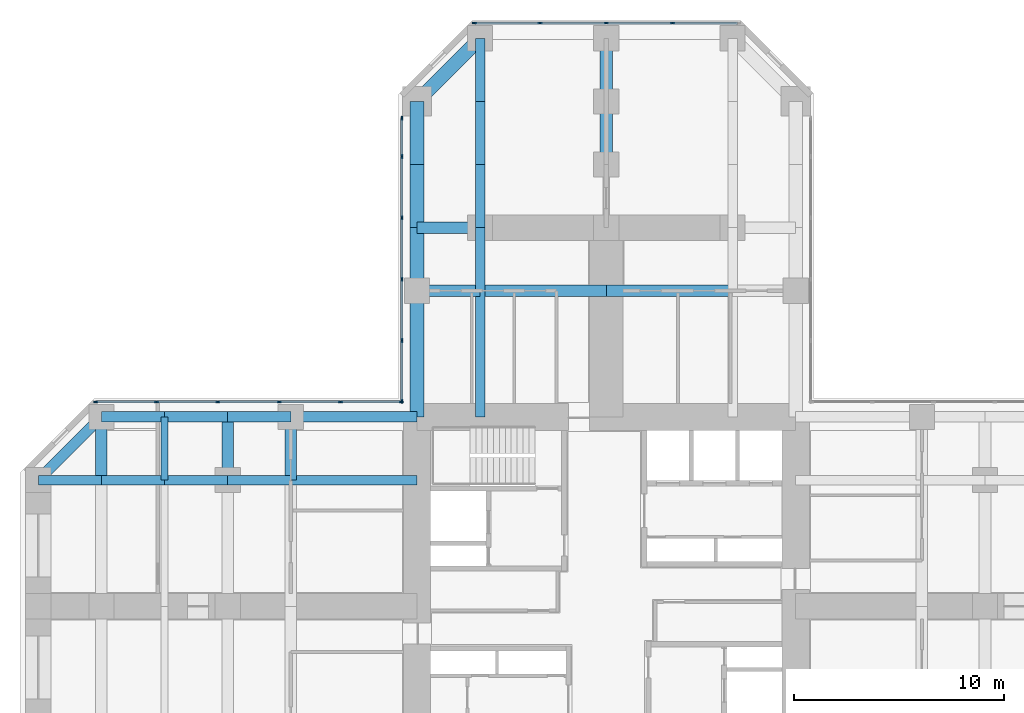
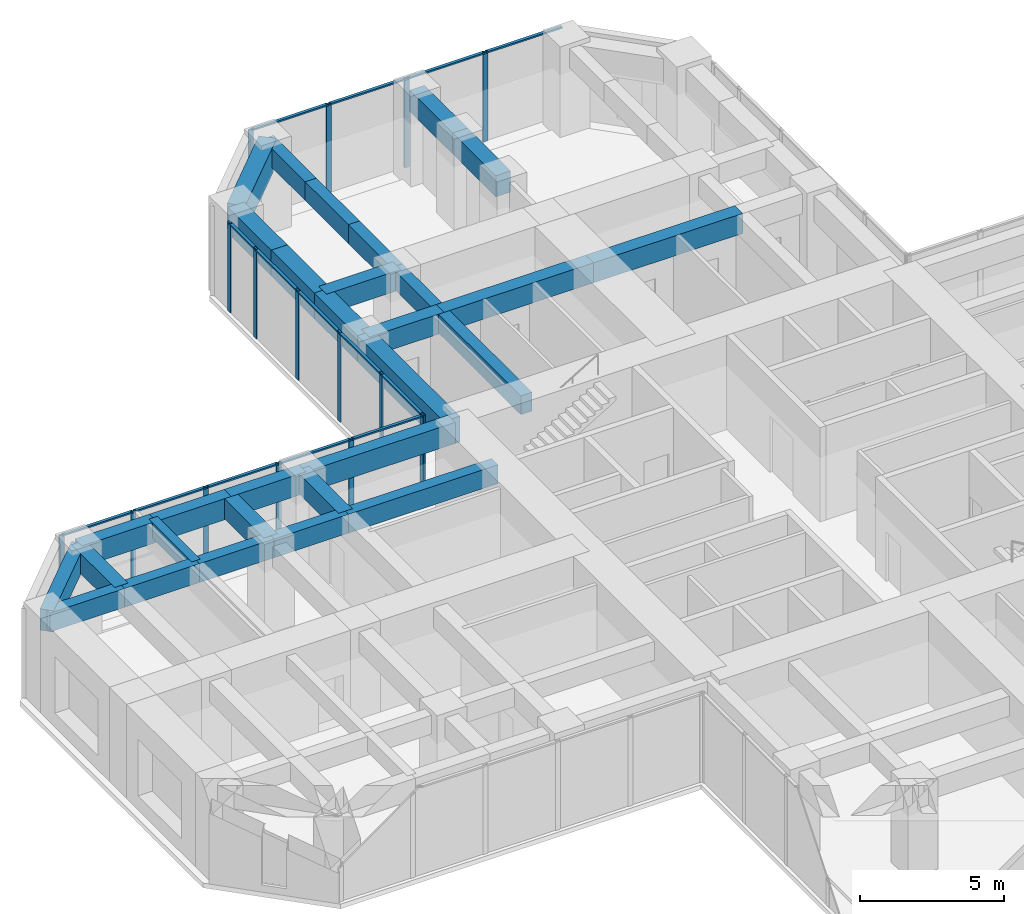
# One storey, part 5 of 12: 30 beams, 30 members, 3 elements without a shape of their own.
"""IFC4 building model written with IfcOpenShell, lengths in metres."""

from ifc_helpers import new_model, si_unit, direction, frame, origin, origin_2d, place, context, subcontext, project, spatial, rectangle, extrude, material, material_profile, profile_set, type_object, element, aggregate, save


model = new_model("IFC4")

# Units and contexts
model_context = context("Model", 3, precision=1e-05, world=origin(), true_north=direction((0.0, 1.0)))
body_context = subcontext(model_context, "Body", "Model", "MODEL_VIEW")
ifc_project = project(units=[si_unit("LENGTHUNIT", "METRE"), si_unit("AREAUNIT", "SQUARE_METRE"), si_unit("VOLUMEUNIT", "CUBIC_METRE"), si_unit("PLANEANGLEUNIT", "RADIAN"), si_unit("MASSUNIT", "GRAM", prefix="KILO")], contexts=[model_context])

# Site, building, storey
site_placement = place(None, origin())
site = spatial("IfcSite", under=ifc_project, at=site_placement, CompositionType="ELEMENT")
building_placement = place(site_placement, origin())
building = spatial("IfcBuilding", under=site, at=building_placement, Name="Torre Cruceta", CompositionType="ELEMENT")
storey_placement = place(building_placement, frame((0.0, 0.0, 79.5)))
storey = spatial("IfcBuildingStorey", under=building, at=storey_placement, Name="L19", CompositionType="ELEMENT", Elevation=79.5)

# Beams
ifc_material_1 = material(Name="Concrete G60 (fck 60 MPa)", Category="concrete")
ifc_material_profile_1 = material_profile(ifc_material_1, rectangle(XDim=0.60009765625, YDim=0.89990234375, at=origin_2d()), Name="RC 600X900")
ifc_profile_set_1 = profile_set([ifc_material_profile_1], Name="Concrete G60 (fck 60 MPa)")
beam_type_1 = type_object("IfcBeamType", Name="ARM CENTRE BEAM RC 600X900", PredefinedType="BEAM", material=ifc_profile_set_1)
for number, where, z_axis, x_axis, name in (
    (1, (0.0, 21.0, 3.35009765625), (0.0, 1.0, 0.0), (-1.0, 0.0, 0.0), "MB3 L19 N centre 1"),
    (2, (0.0, 24.0, 3.35009765625), (0.0, 1.0, 0.0), (-1.0, 0.0, 0.0), "MB3 L19 N centre 2"),
):
    element("IfcBeam", number, at=place(storey_placement, frame(where, z_axis=z_axis, x_axis=x_axis)), inside=storey, type_object=beam_type_1, Name=name, PredefinedType="BEAM", context=body_context, shape_type="SweptSolid", body=[
        extrude(rectangle(XDim=0.60009765625, YDim=0.89990234375, at=origin_2d()), origin(), (0.0, 0.0, 1.0), 3.0),
    ])
ifc_material_2 = material(Name="Concrete G60 (fck 60 MPa)", Category="concrete")
ifc_material_profile_2 = material_profile(ifc_material_2, rectangle(XDim=0.449951171875, YDim=0.800048828125, at=origin_2d()), Name="RC 450X800")
ifc_profile_set_2 = profile_set([ifc_material_profile_2], Name="Concrete G60 (fck 60 MPa)")
beam_type_2 = type_object("IfcBeamType", Name="COLUMN LINE BEAM RC 450X800", PredefinedType="BEAM", material=ifc_profile_set_2)
beam_1_placement = place(storey_placement, frame((-6.0, 9.0, 3.39990234375), z_axis=(0.0, 1.0, 0.0), x_axis=(-1.0, 0.0, 0.0)))
element("IfcBeam", 3, at=beam_1_placement, inside=storey, type_object=beam_type_2, Name="LB1 L19 N col+ 1", PredefinedType="BEAM", context=body_context, shape_type="SweptSolid", body=[
    extrude(rectangle(XDim=0.449951171875, YDim=0.800048828125, at=origin_2d()), origin(), (0.0, 0.0, 1.0), 6.0),
])
for number, where, z_axis, x_axis, name in (
    (4, (-6.0, 15.0, 3.39990234375), (0.0, 1.0, 0.0), (-1.0, 0.0, 0.0), "LB1 L19 N col+ 2"),
    (5, (-6.0, 18.0, 3.39990234375), (0.0, 1.0, 0.0), (-1.0, 0.0, 0.0), "LB1 L19 N col+ 3"),
    (6, (-6.0, 21.0, 3.39990234375), (0.0, 1.0, 0.0), (-1.0, 0.0, 0.0), "LB1 L19 N col+ 4"),
    (7, (-6.0, 24.0, 3.39990234375), (0.0, 1.0, 0.0), (-1.0, 0.0, 0.0), "LB1 L19 N col+ 5"),
):
    element("IfcBeam", number, at=place(storey_placement, frame(where, z_axis=z_axis, x_axis=x_axis)), inside=storey, type_object=beam_type_2, Name=name, PredefinedType="BEAM", context=body_context, shape_type="SweptSolid", body=[
        extrude(rectangle(XDim=0.449951171875, YDim=0.800048828125, at=origin_2d()), origin(), (0.0, 0.0, 1.0), 3.0),
    ])
beam_2_placement = place(storey_placement, frame((-9.0, 6.0, 3.39990234375), z_axis=(-1.0, 0.0, 0.0), x_axis=(0.0, -1.0, 0.0)))
element("IfcBeam", 8, at=beam_2_placement, inside=storey, type_object=beam_type_2, Name="LB1 L19 W col- 1", PredefinedType="BEAM", context=body_context, shape_type="SweptSolid", body=[
    extrude(rectangle(XDim=0.449951171875, YDim=0.800048828125, at=origin_2d()), origin(), (0.0, 0.0, 1.0), 6.0),
])
for number, where, z_axis, x_axis, name in (
    (9, (-15.0, 6.0, 3.39990234375), (-1.0, 0.0, 0.0), (0.0, -1.0, 0.0), "LB1 L19 W col- 2"),
    (10, (-18.0, 6.0, 3.39990234375), (-1.0, 0.0, 0.0), (0.0, -1.0, 0.0), "LB1 L19 W col- 3"),
    (11, (-21.0, 6.0, 3.39990234375), (-1.0, 0.0, 0.0), (0.0, -1.0, 0.0), "LB1 L19 W col- 4"),
    (12, (-24.0, 6.0, 3.39990234375), (-1.0, 0.0, 0.0), (0.0, -1.0, 0.0), "LB1 L19 W col- 5"),
):
    element("IfcBeam", number, at=place(storey_placement, frame(where, z_axis=z_axis, x_axis=x_axis)), inside=storey, type_object=beam_type_2, Name=name, PredefinedType="BEAM", context=body_context, shape_type="SweptSolid", body=[
        extrude(rectangle(XDim=0.449951171875, YDim=0.800048828125, at=origin_2d()), origin(), (0.0, 0.0, 1.0), 3.0),
    ])
ifc_material_3 = material(Name="Concrete G60 (fck 60 MPa)", Category="concrete")
ifc_material_profile_3 = material_profile(ifc_material_3, rectangle(XDim=0.550048828125, YDim=0.85009765625, at=origin_2d()), Name="RC 550X850")
ifc_profile_set_3 = profile_set([ifc_material_profile_3], Name="Concrete G60 (fck 60 MPa)")
beam_type_3 = type_object("IfcBeamType", Name="CROSS BEAM RC 550X850", PredefinedType="BEAM", material=ifc_profile_set_3)
for number, where, z_axis, x_axis, name in (
    (13, (6.0, 15.0, 3.375), (-1.0, 0.0, 0.0), (0.0, -1.0, 0.0), "GB4 L19 N cross15 2"),
    (14, (0.0, 15.0, 3.375), (-1.0, 0.0, 0.0), (0.0, -1.0, 0.0), "GB4 L19 N cross15 3"),
):
    element("IfcBeam", number, at=place(storey_placement, frame(where, z_axis=z_axis, x_axis=x_axis)), inside=storey, type_object=beam_type_3, Name=name, PredefinedType="BEAM", context=body_context, shape_type="SweptSolid", body=[
        extrude(rectangle(XDim=0.550048828125, YDim=0.85009765625, at=origin_2d()), origin(), (0.0, 0.0, 1.0), 6.0),
    ])
for number, where, z_axis, x_axis, name in (
    (15, (-6.0, 15.0, 3.375), (-1.0, 0.0, 0.0), (0.0, -1.0, 0.0), "GB4 L19 N cross15 4"),
    (16, (-6.0, 18.0, 3.375), (-1.0, 0.0, 0.0), (0.0, -1.0, 0.0), "GB4 L19 N cross18b 1"),
    (17, (-15.0, 9.0, 3.375), (0.0, -1.0, 0.0), (1.0, 0.0, 0.0), "GB4 L19 W cross15 1"),
    (18, (-18.0, 9.0, 3.375), (0.0, -1.0, 0.0), (1.0, 0.0, 0.0), "GB4 L19 W cross18 1"),
    (19, (-24.0, 9.0, 3.375), (0.0, -1.0, 0.0), (1.0, 0.0, 0.0), "GB4 L19 W cross24 1"),
):
    element("IfcBeam", number, at=place(storey_placement, frame(where, z_axis=z_axis, x_axis=x_axis)), inside=storey, type_object=beam_type_3, Name=name, PredefinedType="BEAM", context=body_context, shape_type="SweptSolid", body=[
        extrude(rectangle(XDim=0.550048828125, YDim=0.85009765625, at=origin_2d()), origin(), (0.0, 0.0, 1.0), 3.0),
    ])

# Curtain wall, members
ifc_material_4 = material(Name="Aluminium unitised curtain wall", Category="aluminium")
curtain_wall_type = type_object("IfcCurtainWallType", Name="CURTAIN WALL CW-A OFFICE LOW RISE", PredefinedType="USERDEFINED", material=ifc_material_4)
curtain_wall_1_placement = place(storey_placement, origin())
curtain_wall_1 = element("IfcCurtainWall", 20, at=curtain_wall_1_placement, inside=storey, type_object=curtain_wall_type, Name="CW-A L19 N tip 07", ObjectType="UNITISED", PredefinedType="USERDEFINED")
ifc_material_5 = material(Name="Aluminium mullion", Category="aluminium")
ifc_material_profile_4 = material_profile(ifc_material_5, rectangle(XDim=0.06494140625, YDim=0.199951171875, at=origin_2d()), Name="AL 65X200")
ifc_profile_set_4 = profile_set([ifc_material_profile_4], Name="Aluminium mullion")
member_type_1 = type_object("IfcMemberType", Name="CW-A MULLION 65X200", PredefinedType="MULLION", material=ifc_profile_set_4)
member_1_placement = place(storey_placement, frame((3.149169921875, 27.719970703125, 0.0), z_axis=(0.0, 0.0, 1.0), x_axis=(0.0, -1.0, 0.0)))
member_1 = element("IfcMember", 21, at=member_1_placement, type_object=member_type_1, Name="CW-A mullion 2", PredefinedType="MULLION", context=body_context, shape_type="SweptSolid", body=[
    extrude(rectangle(XDim=0.06494140625, YDim=0.199951171875, at=origin_2d()), origin(), (0.0, 0.0, 1.0), 3.800048828125),
])
member_2_placement = place(storey_placement, frame((0.0, 27.719970703125, 0.0), z_axis=(0.0, 0.0, 1.0), x_axis=(0.0, -1.0, 0.0)))
member_2 = element("IfcMember", 22, at=member_2_placement, type_object=member_type_1, Name="CW-A mullion 3", PredefinedType="MULLION", context=body_context, shape_type="SweptSolid", body=[
    extrude(rectangle(XDim=0.06494140625, YDim=0.199951171875, at=origin_2d()), origin(), (0.0, 0.0, 1.0), 3.800048828125),
])
member_3_placement = place(storey_placement, frame((-3.149169921875, 27.719970703125, 0.0), z_axis=(0.0, 0.0, 1.0), x_axis=(0.0, -1.0, 0.0)))
member_3 = element("IfcMember", 23, at=member_3_placement, type_object=member_type_1, Name="CW-A mullion 4", PredefinedType="MULLION", context=body_context, shape_type="SweptSolid", body=[
    extrude(rectangle(XDim=0.06494140625, YDim=0.199951171875, at=origin_2d()), origin(), (0.0, 0.0, 1.0), 3.800048828125),
])
member_4_placement = place(storey_placement, frame((-6.265625, 27.719970703125, 0.0), z_axis=(0.0, 0.0, 1.0), x_axis=(0.0, -1.0, 0.0)))
member_4 = element("IfcMember", 24, at=member_4_placement, type_object=member_type_1, Name="CW-A mullion 5", PredefinedType="MULLION", context=body_context, shape_type="SweptSolid", body=[
    extrude(rectangle(XDim=0.06494140625, YDim=0.199951171875, at=origin_2d()), origin(), (0.0, 0.0, 1.0), 3.800048828125),
])

curtain_wall_2_placement = place(storey_placement, origin())
curtain_wall_2 = element("IfcCurtainWall", 25, at=curtain_wall_2_placement, inside=storey, type_object=curtain_wall_type, Name="CW-A L19 N side 09", ObjectType="UNITISED", PredefinedType="USERDEFINED")
member_5_placement = place(storey_placement, frame((-9.719970703125, 23.198974609375, 0.0), z_axis=(0.0, 0.0, 1.0), x_axis=(1.0, 0.0, 0.0)))
member_5 = element("IfcMember", 26, at=member_5_placement, type_object=member_type_1, Name="CW-A mullion 1", PredefinedType="MULLION", context=body_context, shape_type="SweptSolid", body=[
    extrude(rectangle(XDim=0.06494140625, YDim=0.199951171875, at=origin_2d()), origin(), (0.0, 0.0, 1.0), 3.800048828125),
])
member_6_placement = place(storey_placement, frame((-9.719970703125, 21.382568359375, 0.0), z_axis=(0.0, 0.0, 1.0), x_axis=(1.0, 0.0, 0.0)))
member_6 = element("IfcMember", 27, at=member_6_placement, type_object=member_type_1, Name="CW-A mullion 2", PredefinedType="MULLION", context=body_context, shape_type="SweptSolid", body=[
    extrude(rectangle(XDim=0.06494140625, YDim=0.199951171875, at=origin_2d()), origin(), (0.0, 0.0, 1.0), 3.800048828125),
])
member_7_placement = place(storey_placement, frame((-9.719970703125, 18.467041015625, 0.0), z_axis=(0.0, 0.0, 1.0), x_axis=(1.0, 0.0, 0.0)))
member_7 = element("IfcMember", 28, at=member_7_placement, type_object=member_type_1, Name="CW-A mullion 3", PredefinedType="MULLION", context=body_context, shape_type="SweptSolid", body=[
    extrude(rectangle(XDim=0.06494140625, YDim=0.199951171875, at=origin_2d()), origin(), (0.0, 0.0, 1.0), 3.800048828125),
])
member_8_placement = place(storey_placement, frame((-9.719970703125, 15.55126953125, 0.0), z_axis=(0.0, 0.0, 1.0), x_axis=(1.0, 0.0, 0.0)))
member_8 = element("IfcMember", 29, at=member_8_placement, type_object=member_type_1, Name="CW-A mullion 4", PredefinedType="MULLION", context=body_context, shape_type="SweptSolid", body=[
    extrude(rectangle(XDim=0.06494140625, YDim=0.199951171875, at=origin_2d()), origin(), (0.0, 0.0, 1.0), 3.800048828125),
])
member_9_placement = place(storey_placement, frame((-9.719970703125, 12.6357421875, 0.0), z_axis=(0.0, 0.0, 1.0), x_axis=(1.0, 0.0, 0.0)))
member_9 = element("IfcMember", 30, at=member_9_placement, type_object=member_type_1, Name="CW-A mullion 5", PredefinedType="MULLION", context=body_context, shape_type="SweptSolid", body=[
    extrude(rectangle(XDim=0.06494140625, YDim=0.199951171875, at=origin_2d()), origin(), (0.0, 0.0, 1.0), 3.800048828125),
])
member_10_placement = place(storey_placement, frame((-9.719970703125, 9.75244140625, 0.0), z_axis=(0.0, 0.0, 1.0), x_axis=(1.0, 0.0, 0.0)))
member_10 = element("IfcMember", 31, at=member_10_placement, type_object=member_type_1, Name="CW-A mullion 6", PredefinedType="MULLION", context=body_context, shape_type="SweptSolid", body=[
    extrude(rectangle(XDim=0.06494140625, YDim=0.199951171875, at=origin_2d()), origin(), (0.0, 0.0, 1.0), 3.800048828125),
])

curtain_wall_3_placement = place(storey_placement, origin())
curtain_wall_3 = element("IfcCurtainWall", 32, at=curtain_wall_3_placement, inside=storey, type_object=curtain_wall_type, Name="CW-A L19 W side 10", ObjectType="UNITISED", PredefinedType="USERDEFINED")
member_11_placement = place(storey_placement, frame((-9.75244140625, 9.719970703125, 0.0), z_axis=(0.0, 0.0, 1.0), x_axis=(0.0, -1.0, 0.0)))
member_11 = element("IfcMember", 33, at=member_11_placement, type_object=member_type_1, Name="CW-A mullion 1", PredefinedType="MULLION", context=body_context, shape_type="SweptSolid", body=[
    extrude(rectangle(XDim=0.06494140625, YDim=0.199951171875, at=origin_2d()), origin(), (0.0, 0.0, 1.0), 3.800048828125),
])
member_12_placement = place(storey_placement, frame((-12.6357421875, 9.719970703125, 0.0), z_axis=(0.0, 0.0, 1.0), x_axis=(0.0, -1.0, 0.0)))
member_12 = element("IfcMember", 34, at=member_12_placement, type_object=member_type_1, Name="CW-A mullion 2", PredefinedType="MULLION", context=body_context, shape_type="SweptSolid", body=[
    extrude(rectangle(XDim=0.06494140625, YDim=0.199951171875, at=origin_2d()), origin(), (0.0, 0.0, 1.0), 3.800048828125),
])
member_13_placement = place(storey_placement, frame((-15.55126953125, 9.719970703125, 0.0), z_axis=(0.0, 0.0, 1.0), x_axis=(0.0, -1.0, 0.0)))
member_13 = element("IfcMember", 35, at=member_13_placement, type_object=member_type_1, Name="CW-A mullion 3", PredefinedType="MULLION", context=body_context, shape_type="SweptSolid", body=[
    extrude(rectangle(XDim=0.06494140625, YDim=0.199951171875, at=origin_2d()), origin(), (0.0, 0.0, 1.0), 3.800048828125),
])
member_14_placement = place(storey_placement, frame((-18.467041015625, 9.719970703125, 0.0), z_axis=(0.0, 0.0, 1.0), x_axis=(0.0, -1.0, 0.0)))
member_14 = element("IfcMember", 36, at=member_14_placement, type_object=member_type_1, Name="CW-A mullion 4", PredefinedType="MULLION", context=body_context, shape_type="SweptSolid", body=[
    extrude(rectangle(XDim=0.06494140625, YDim=0.199951171875, at=origin_2d()), origin(), (0.0, 0.0, 1.0), 3.800048828125),
])
member_15_placement = place(storey_placement, frame((-21.382568359375, 9.719970703125, 0.0), z_axis=(0.0, 0.0, 1.0), x_axis=(0.0, -1.0, 0.0)))
member_15 = element("IfcMember", 37, at=member_15_placement, type_object=member_type_1, Name="CW-A mullion 5", PredefinedType="MULLION", context=body_context, shape_type="SweptSolid", body=[
    extrude(rectangle(XDim=0.06494140625, YDim=0.199951171875, at=origin_2d()), origin(), (0.0, 0.0, 1.0), 3.800048828125),
])
member_16_placement = place(storey_placement, frame((-24.265625, 9.719970703125, 0.0), z_axis=(0.0, 0.0, 1.0), x_axis=(0.0, -1.0, 0.0)))
member_16 = element("IfcMember", 38, at=member_16_placement, type_object=member_type_1, Name="CW-A mullion 6", PredefinedType="MULLION", context=body_context, shape_type="SweptSolid", body=[
    extrude(rectangle(XDim=0.06494140625, YDim=0.199951171875, at=origin_2d()), origin(), (0.0, 0.0, 1.0), 3.800048828125),
])

# Member
ifc_material_6 = material(Name="Aluminium transom", Category="aluminium")
ifc_material_profile_5 = material_profile(ifc_material_6, rectangle(XDim=0.1201171875, YDim=0.06494140625, at=origin_2d()), Name="AL 120X65")
ifc_profile_set_5 = profile_set([ifc_material_profile_5], Name="Aluminium transom")
member_type_2 = type_object("IfcMemberType", Name="CW-A TRANSOM 65X120", PredefinedType="USERDEFINED", material=ifc_profile_set_5)
member_17_placement = place(storey_placement, frame((6.233154296875, 27.719970703125, 3.767578125), z_axis=(-1.0, 0.0, 0.0), x_axis=(0.0, -1.0, 0.0)))
member_17 = element("IfcMember", 39, at=member_17_placement, type_object=member_type_2, Name="CW-A transom 1", ObjectType="TRANSOM", PredefinedType="USERDEFINED", context=body_context, shape_type="SweptSolid", body=[
    extrude(rectangle(XDim=0.1201171875, YDim=0.06494140625, at=origin_2d()), origin(), (0.0, 0.0, 1.0), 3.051513671875),
])

member_18_placement = place(storey_placement, frame((3.11669921875, 27.719970703125, 3.767578125), z_axis=(-1.0, 0.0, 0.0), x_axis=(0.0, -1.0, 0.0)))
member_18 = element("IfcMember", 40, at=member_18_placement, type_object=member_type_2, Name="CW-A transom 2", ObjectType="TRANSOM", PredefinedType="USERDEFINED", context=body_context, shape_type="SweptSolid", body=[
    extrude(rectangle(XDim=0.1201171875, YDim=0.06494140625, at=origin_2d()), origin(), (0.0, 0.0, 1.0), 3.084228515625),
])

member_19_placement = place(storey_placement, frame((-0.032470703125, 27.719970703125, 3.767578125), z_axis=(-1.0, 0.0, 0.0), x_axis=(0.0, -1.0, 0.0)))
member_19 = element("IfcMember", 41, at=member_19_placement, type_object=member_type_2, Name="CW-A transom 3", ObjectType="TRANSOM", PredefinedType="USERDEFINED", context=body_context, shape_type="SweptSolid", body=[
    extrude(rectangle(XDim=0.1201171875, YDim=0.06494140625, at=origin_2d()), origin(), (0.0, 0.0, 1.0), 3.084228515625),
])

member_20_placement = place(storey_placement, frame((-3.181640625, 27.719970703125, 3.767578125), z_axis=(-1.0, 0.0, 0.0), x_axis=(0.0, -1.0, 0.0)))
member_20 = element("IfcMember", 42, at=member_20_placement, type_object=member_type_2, Name="CW-A transom 4", ObjectType="TRANSOM", PredefinedType="USERDEFINED", context=body_context, shape_type="SweptSolid", body=[
    extrude(rectangle(XDim=0.1201171875, YDim=0.06494140625, at=origin_2d()), origin(), (0.0, 0.0, 1.0), 3.051513671875),
])

aggregate(curtain_wall_1, [member_1, member_2, member_3, member_4, member_17, member_18, member_19, member_20])

member_21_placement = place(storey_placement, frame((-9.719970703125, 23.16650390625, 3.767578125), z_axis=(0.0, -1.0, 0.0), x_axis=(1.0, 0.0, 0.0)))
member_21 = element("IfcMember", 43, at=member_21_placement, type_object=member_type_2, Name="CW-A transom 1", ObjectType="TRANSOM", PredefinedType="USERDEFINED", context=body_context, shape_type="SweptSolid", body=[
    extrude(rectangle(XDim=0.1201171875, YDim=0.06494140625, at=origin_2d()), origin(), (0.0, 0.0, 1.0), 1.75146484375),
])

member_22_placement = place(storey_placement, frame((-9.719970703125, 21.35009765625, 3.767578125), z_axis=(0.0, -1.0, 0.0), x_axis=(1.0, 0.0, 0.0)))
member_22 = element("IfcMember", 44, at=member_22_placement, type_object=member_type_2, Name="CW-A transom 2", ObjectType="TRANSOM", PredefinedType="USERDEFINED", context=body_context, shape_type="SweptSolid", body=[
    extrude(rectangle(XDim=0.1201171875, YDim=0.06494140625, at=origin_2d()), origin(), (0.0, 0.0, 1.0), 2.8505859375),
])

member_23_placement = place(storey_placement, frame((-9.719970703125, 18.434326171875, 3.767578125), z_axis=(0.0, -1.0, 0.0), x_axis=(1.0, 0.0, 0.0)))
member_23 = element("IfcMember", 45, at=member_23_placement, type_object=member_type_2, Name="CW-A transom 3", ObjectType="TRANSOM", PredefinedType="USERDEFINED", context=body_context, shape_type="SweptSolid", body=[
    extrude(rectangle(XDim=0.1201171875, YDim=0.06494140625, at=origin_2d()), origin(), (0.0, 0.0, 1.0), 2.8505859375),
])

member_24_placement = place(storey_placement, frame((-9.719970703125, 15.518798828125, 3.767578125), z_axis=(0.0, -1.0, 0.0), x_axis=(1.0, 0.0, 0.0)))
member_24 = element("IfcMember", 46, at=member_24_placement, type_object=member_type_2, Name="CW-A transom 4", ObjectType="TRANSOM", PredefinedType="USERDEFINED", context=body_context, shape_type="SweptSolid", body=[
    extrude(rectangle(XDim=0.1201171875, YDim=0.06494140625, at=origin_2d()), origin(), (0.0, 0.0, 1.0), 2.8505859375),
])

member_25_placement = place(storey_placement, frame((-9.719970703125, 12.60302734375, 3.767578125), z_axis=(0.0, -1.0, 0.0), x_axis=(1.0, 0.0, 0.0)))
member_25 = element("IfcMember", 47, at=member_25_placement, type_object=member_type_2, Name="CW-A transom 5", ObjectType="TRANSOM", PredefinedType="USERDEFINED", context=body_context, shape_type="SweptSolid", body=[
    extrude(rectangle(XDim=0.1201171875, YDim=0.06494140625, at=origin_2d()), origin(), (0.0, 0.0, 1.0), 2.818115234375),
])

aggregate(curtain_wall_2, [member_5, member_6, member_7, member_8, member_9, member_10, member_21, member_22, member_23, member_24, member_25])

member_26_placement = place(storey_placement, frame((-9.784912109375, 9.719970703125, 3.767578125), z_axis=(-1.0, 0.0, 0.0), x_axis=(0.0, -1.0, 0.0)))
member_26 = element("IfcMember", 48, at=member_26_placement, type_object=member_type_2, Name="CW-A transom 1", ObjectType="TRANSOM", PredefinedType="USERDEFINED", context=body_context, shape_type="SweptSolid", body=[
    extrude(rectangle(XDim=0.1201171875, YDim=0.06494140625, at=origin_2d()), origin(), (0.0, 0.0, 1.0), 2.818115234375),
])

member_27_placement = place(storey_placement, frame((-12.668212890625, 9.719970703125, 3.767578125), z_axis=(-1.0, 0.0, 0.0), x_axis=(0.0, -1.0, 0.0)))
member_27 = element("IfcMember", 49, at=member_27_placement, type_object=member_type_2, Name="CW-A transom 2", ObjectType="TRANSOM", PredefinedType="USERDEFINED", context=body_context, shape_type="SweptSolid", body=[
    extrude(rectangle(XDim=0.1201171875, YDim=0.06494140625, at=origin_2d()), origin(), (0.0, 0.0, 1.0), 2.8505859375),
])

member_28_placement = place(storey_placement, frame((-15.583740234375, 9.719970703125, 3.767578125), z_axis=(-1.0, 0.0, 0.0), x_axis=(0.0, -1.0, 0.0)))
member_28 = element("IfcMember", 50, at=member_28_placement, type_object=member_type_2, Name="CW-A transom 3", ObjectType="TRANSOM", PredefinedType="USERDEFINED", context=body_context, shape_type="SweptSolid", body=[
    extrude(rectangle(XDim=0.1201171875, YDim=0.06494140625, at=origin_2d()), origin(), (0.0, 0.0, 1.0), 2.8505859375),
])

member_29_placement = place(storey_placement, frame((-18.49951171875, 9.719970703125, 3.767578125), z_axis=(-1.0, 0.0, 0.0), x_axis=(0.0, -1.0, 0.0)))
member_29 = element("IfcMember", 51, at=member_29_placement, type_object=member_type_2, Name="CW-A transom 4", ObjectType="TRANSOM", PredefinedType="USERDEFINED", context=body_context, shape_type="SweptSolid", body=[
    extrude(rectangle(XDim=0.1201171875, YDim=0.06494140625, at=origin_2d()), origin(), (0.0, 0.0, 1.0), 2.8505859375),
])

member_30_placement = place(storey_placement, frame((-21.4150390625, 9.719970703125, 3.767578125), z_axis=(-1.0, 0.0, 0.0), x_axis=(0.0, -1.0, 0.0)))
member_30 = element("IfcMember", 52, at=member_30_placement, type_object=member_type_2, Name="CW-A transom 5", ObjectType="TRANSOM", PredefinedType="USERDEFINED", context=body_context, shape_type="SweptSolid", body=[
    extrude(rectangle(XDim=0.1201171875, YDim=0.06494140625, at=origin_2d()), origin(), (0.0, 0.0, 1.0), 2.818115234375),
])

aggregate(curtain_wall_3, [member_11, member_12, member_13, member_14, member_15, member_16, member_26, member_27, member_28, member_29, member_30])

# Beams
ifc_material_7 = material(Name="Concrete G60 (fck 60 MPa)", Category="concrete")
ifc_material_profile_6 = material_profile(ifc_material_7, rectangle(XDim=0.35009765625, YDim=0.64990234375, at=origin_2d()), Name="RC 350X650")
ifc_profile_set_6 = profile_set([ifc_material_profile_6], Name="Concrete G60 (fck 60 MPa)")
beam_type_4 = type_object("IfcBeamType", Name="SECONDARY BEAM RC 350X650", PredefinedType="JOIST", material=ifc_profile_set_6)
beam_3_placement = place(storey_placement, frame((-21.0, 9.0, 3.47509765625), z_axis=(0.0, -1.0, 0.0), x_axis=(1.0, 0.0, 0.0)))
element("IfcBeam", 53, at=beam_3_placement, inside=storey, type_object=beam_type_4, Name="JB3 L19 W sec21 1", PredefinedType="JOIST", context=body_context, shape_type="SweptSolid", body=[
    extrude(rectangle(XDim=0.35009765625, YDim=0.64990234375, at=origin_2d()), origin(), (0.0, 0.0, 1.0), 3.0),
])
ifc_material_8 = material(Name="Concrete G60 (fck 60 MPa)", Category="concrete")
ifc_material_profile_7 = material_profile(ifc_material_8, rectangle(XDim=0.5, YDim=0.89990234375, at=origin_2d()), Name="RC 500X900")
ifc_profile_set_7 = profile_set([ifc_material_profile_7], Name="Concrete G60 (fck 60 MPa)")
beam_type_5 = type_object("IfcBeamType", Name="SPANDREL BEAM RC 500X900", PredefinedType="SPANDREL", material=ifc_profile_set_7)
beam_4_placement = place(storey_placement, frame((-9.0, 9.0, 3.35009765625), z_axis=(-1.0, 0.0, 0.0), x_axis=(0.0, -1.0, 0.0)))
element("IfcBeam", 54, at=beam_4_placement, inside=storey, type_object=beam_type_5, Name="SB4 L19 W side- 1", PredefinedType="SPANDREL", context=body_context, shape_type="SweptSolid", body=[
    extrude(rectangle(XDim=0.5, YDim=0.89990234375, at=origin_2d()), origin(), (0.0, 0.0, 1.0), 6.0),
])
for number, where, z_axis, x_axis, name in (
    (55, (-15.0, 9.0, 3.35009765625), (-1.0, 0.0, 0.0), (0.0, -1.0, 0.0), "SB4 L19 W side- 2"),
    (56, (-18.0, 9.0, 3.35009765625), (-1.0, 0.0, 0.0), (0.0, -1.0, 0.0), "SB4 L19 W side- 3"),
    (57, (-21.0, 9.0, 3.35009765625), (-1.0, 0.0, 0.0), (0.0, -1.0, 0.0), "SB4 L19 W side- 4"),
):
    element("IfcBeam", number, at=place(storey_placement, frame(where, z_axis=z_axis, x_axis=x_axis)), inside=storey, type_object=beam_type_5, Name=name, PredefinedType="SPANDREL", context=body_context, shape_type="SweptSolid", body=[
        extrude(rectangle(XDim=0.5, YDim=0.89990234375, at=origin_2d()), origin(), (0.0, 0.0, 1.0), 3.0),
    ])
beam_5_placement = place(storey_placement, frame((-24.0, 9.0, 3.35009765625), z_axis=(-0.707106781187, -0.707106781187, 0.0), x_axis=(0.707106781187, -0.707106781187, 0.0)))
element("IfcBeam", 58, at=beam_5_placement, inside=storey, type_object=beam_type_5, Name="SB4 L19 W side- 5", PredefinedType="SPANDREL", context=body_context, shape_type="SweptSolid", body=[
    extrude(rectangle(XDim=0.5, YDim=0.89990234375, at=origin_2d()), origin(), (0.0, 0.0, 1.0), 4.24267578125),
])
ifc_material_9 = material(Name="Concrete G60 (fck 60 MPa)", Category="concrete")
ifc_material_profile_8 = material_profile(ifc_material_9, rectangle(XDim=0.64990234375, YDim=1.10009765625, at=origin_2d()), Name="RC 650X1100")
ifc_profile_set_8 = profile_set([ifc_material_profile_8], Name="Concrete G60 (fck 60 MPa)")
beam_type_6 = type_object("IfcBeamType", Name="SPANDREL BEAM RC 650X1100", PredefinedType="SPANDREL", material=ifc_profile_set_8)
beam_6_placement = place(storey_placement, frame((-9.0, 9.0, 3.25), z_axis=(0.0, 1.0, 0.0), x_axis=(-1.0, 0.0, 0.0)))
element("IfcBeam", 59, at=beam_6_placement, inside=storey, type_object=beam_type_6, Name="SB3 L19 N side+ 1", PredefinedType="SPANDREL", context=body_context, shape_type="SweptSolid", body=[
    extrude(rectangle(XDim=0.64990234375, YDim=1.10009765625, at=origin_2d()), origin(), (0.0, 0.0, 1.0), 6.0),
])
for number, where, z_axis, x_axis, name in (
    (60, (-9.0, 15.0, 3.25), (0.0, 1.0, 0.0), (-1.0, 0.0, 0.0), "SB3 L19 N side+ 2"),
    (61, (-9.0, 18.0, 3.25), (0.0, 1.0, 0.0), (-1.0, 0.0, 0.0), "SB3 L19 N side+ 3"),
    (62, (-9.0, 21.0, 3.25), (0.0, 1.0, 0.0), (-1.0, 0.0, 0.0), "SB3 L19 N side+ 4"),
):
    element("IfcBeam", number, at=place(storey_placement, frame(where, z_axis=z_axis, x_axis=x_axis)), inside=storey, type_object=beam_type_6, Name=name, PredefinedType="SPANDREL", context=body_context, shape_type="SweptSolid", body=[
        extrude(rectangle(XDim=0.64990234375, YDim=1.10009765625, at=origin_2d()), origin(), (0.0, 0.0, 1.0), 3.0),
    ])
beam_7_placement = place(storey_placement, frame((-9.0, 24.0, 3.25), z_axis=(0.707106781187, 0.707106781187, 0.0), x_axis=(-0.707106781187, 0.707106781187, 0.0)))
element("IfcBeam", 63, at=beam_7_placement, inside=storey, type_object=beam_type_6, Name="SB3 L19 N side+ 5", PredefinedType="SPANDREL", context=body_context, shape_type="SweptSolid", body=[
    extrude(rectangle(XDim=0.64990234375, YDim=1.10009765625, at=origin_2d()), origin(), (0.0, 0.0, 1.0), 4.24267578125),
])

save(model, "model.ifc")
